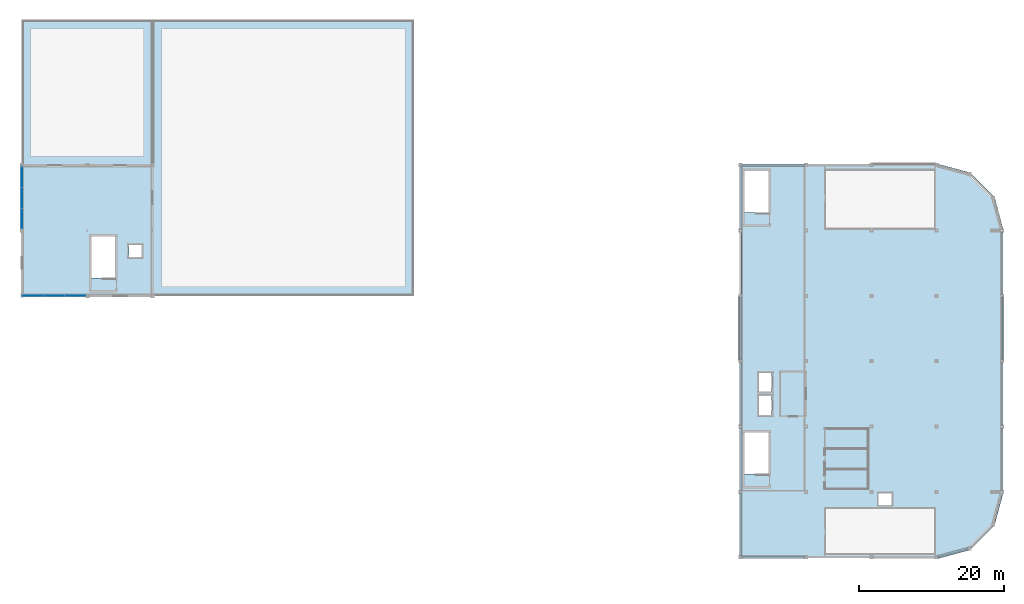
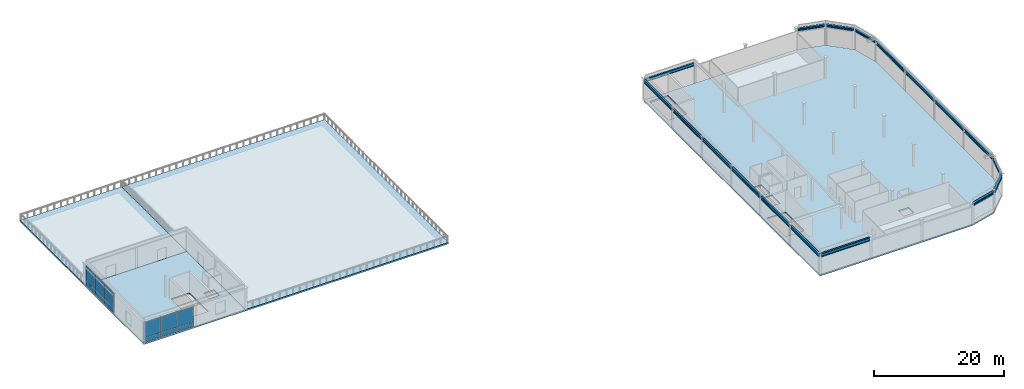
# One storey, part 7 of 14: 18 beams, 12 plates, 4 slabs, 2 elements without a shape of their own.
"""IFC4 building model written with IfcOpenShell, lengths in metres."""

from ifc_helpers import new_model, si_unit, direction, frame, origin, origin_2d, place, context, subcontext, project, spatial, polyline, rectangle, i_section, outline, extrude, material, layer, layer_set, material_profile, profile_set, type_object, element, aggregate, save


model = new_model("IFC4")

# Units and contexts
model_context = context("Model", 3, precision=1e-05, world=origin(), true_north=direction((0.0, 1.0)))
body_context = subcontext(model_context, "Body", "Model", "MODEL_VIEW")
ifc_project = project(units=[si_unit("LENGTHUNIT", "METRE"), si_unit("AREAUNIT", "SQUARE_METRE"), si_unit("VOLUMEUNIT", "CUBIC_METRE"), si_unit("PLANEANGLEUNIT", "RADIAN"), si_unit("MASSUNIT", "GRAM", prefix="KILO")], contexts=[model_context])

# Site, building, storey
site_placement = place(None, origin())
site = spatial("IfcSite", under=ifc_project, at=site_placement, CompositionType="ELEMENT")
building_placement = place(site_placement, origin())
building = spatial("IfcBuilding", under=site, at=building_placement, Name="Suzunagisa Mobility Hub", CompositionType="ELEMENT")
storey_placement = place(building_placement, frame((0.0, 0.0, 26.10009765625)))
storey = spatial("IfcBuildingStorey", under=building, at=storey_placement, Name="L06", CompositionType="ELEMENT", Elevation=26.10009765625)

# Beams
ifc_material_1 = material(Name="Steel SN490B", Category="steel")
ifc_material_profile_1 = material_profile(ifc_material_1, i_section(OverallWidth=0.39990234375, OverallDepth=0.39990234375, WebThickness=0.012939453125, FlangeThickness=0.02099609375, FilletRadius=0.01611328125, at=origin_2d()), Name="H-400x400x13x21")
ifc_profile_set_1 = profile_set([ifc_material_profile_1], Name="Steel SN490B")
beam_type_1 = type_object("IfcBeamType", Name="Steel Beam BM-12 H-400x400x13x21", PredefinedType="SPANDREL", material=ifc_profile_set_1)
beam_1_placement = place(storey_placement, frame((171.1689453125, 44.04541015625, 3.739990234375), z_axis=(0.965926540531, 0.258816379499, 0.0), x_axis=(-0.258816379499, 0.965926540531, 0.0)))
element("IfcBeam", 1, at=beam_1_placement, inside=storey, type_object=beam_type_1, Name="L06 Sports Pavilion Corner Prow Spandrel 2289", PredefinedType="SPANDREL", context=body_context, shape_type="SweptSolid", body=[
    extrude(i_section(OverallWidth=0.39990234375, OverallDepth=0.39990234375, WebThickness=0.012939453125, FlangeThickness=0.02099609375, FilletRadius=0.01611328125, at=origin_2d()), origin(), (0.0, 0.0, 1.0), 4.30615234375),
])
beam_2_placement = place(storey_placement, frame((175.625732421875, 45.33154296875, 3.739990234375), z_axis=(0.707106781187, 0.707106781187, 0.0), x_axis=(-0.707106781187, 0.707106781187, 0.0)))
element("IfcBeam", 2, at=beam_2_placement, inside=storey, type_object=beam_type_1, Name="L06 Sports Pavilion Corner Prow Spandrel 2290", PredefinedType="SPANDREL", context=body_context, shape_type="SweptSolid", body=[
    extrude(i_section(OverallWidth=0.39990234375, OverallDepth=0.39990234375, WebThickness=0.012939453125, FlangeThickness=0.02099609375, FilletRadius=0.01611328125, at=origin_2d()), origin(), (0.0, 0.0, 1.0), 4.302978515625),
])
for number, where, z_axis, x_axis, name in (
    (3, (178.840087890625, 48.671630859375, 3.739990234375), (0.258816379499, 0.965926540531, 0.0), (-0.965926540531, 0.258816379499, 0.0), "L06 Sports Pavilion Corner Prow Spandrel 2291"),
    (4, (179.95458984375, 89.1689453125, 3.739990234375), (-0.258816379499, 0.965926540531, 0.0), (-0.965926540531, -0.258816379499, 0.0), "L06 Sports Pavilion Corner Prow Spandrel 2292"),
):
    element("IfcBeam", number, at=place(storey_placement, frame(where, z_axis=z_axis, x_axis=x_axis)), inside=storey, type_object=beam_type_1, Name=name, PredefinedType="SPANDREL", context=body_context, shape_type="SweptSolid", body=[
        extrude(i_section(OverallWidth=0.39990234375, OverallDepth=0.39990234375, WebThickness=0.012939453125, FlangeThickness=0.02099609375, FilletRadius=0.01611328125, at=origin_2d()), origin(), (0.0, 0.0, 1.0), 4.30615234375),
    ])
beam_3_placement = place(storey_placement, frame((178.66845703125, 93.625732421875, 3.739990234375), z_axis=(-0.707106781187, 0.707106781187, 0.0), x_axis=(-0.707106781187, -0.707106781187, 0.0)))
element("IfcBeam", 5, at=beam_3_placement, inside=storey, type_object=beam_type_1, Name="L06 Sports Pavilion Corner Prow Spandrel 2293", PredefinedType="SPANDREL", context=body_context, shape_type="SweptSolid", body=[
    extrude(i_section(OverallWidth=0.39990234375, OverallDepth=0.39990234375, WebThickness=0.012939453125, FlangeThickness=0.02099609375, FilletRadius=0.01611328125, at=origin_2d()), origin(), (0.0, 0.0, 1.0), 4.302978515625),
])
beam_4_placement = place(storey_placement, frame((175.328369140625, 96.840087890625, 3.739990234375), z_axis=(-0.965926540531, 0.258816379499, 0.0), x_axis=(-0.258816379499, -0.965926540531, 0.0)))
element("IfcBeam", 6, at=beam_4_placement, inside=storey, type_object=beam_type_1, Name="L06 Sports Pavilion Corner Prow Spandrel 2294", PredefinedType="SPANDREL", context=body_context, shape_type="SweptSolid", body=[
    extrude(i_section(OverallWidth=0.39990234375, OverallDepth=0.39990234375, WebThickness=0.012939453125, FlangeThickness=0.02099609375, FilletRadius=0.01611328125, at=origin_2d()), origin(), (0.0, 0.0, 1.0), 4.30615234375),
])
ifc_material_profile_2 = material_profile(ifc_material_1, i_section(OverallWidth=0.300048828125, OverallDepth=0.587890625, WebThickness=0.011962890625, FlangeThickness=0.02001953125, FilletRadius=0.012939453125, at=origin_2d()), Name="H-588x300x12x20")
ifc_profile_set_2 = profile_set([ifc_material_profile_2], Name="Steel SN490B")
beam_type_2 = type_object("IfcBeamType", Name="Steel Beam BM-16 H-588x300x12x20", PredefinedType="BEAM", material=ifc_profile_set_2)
for number, where, z_axis, x_axis, name in (
    (7, (144.1708984375, 44.0, 3.64599609375), (1.0, 0.0, 0.0), (0.0, 1.0, 0.0), "L06 Sports Pavilion Rim Girder 2295"),
    (8, (144.1708984375, 98.0, 3.64599609375), (1.0, 0.0, 0.0), (0.0, 1.0, 0.0), "L06 Sports Pavilion Rim Girder 2296"),
    (9, (144.0, 44.1708984375, 3.64599609375), (0.0, 1.0, 0.0), (-1.0, 0.0, 0.0), "L06 Sports Pavilion Rim Girder 2297"),
    (10, (144.0, 53.1708984375, 3.64599609375), (0.0, 1.0, 0.0), (-1.0, 0.0, 0.0), "L06 Sports Pavilion Rim Girder 2298"),
    (11, (144.0, 62.1708984375, 3.64599609375), (0.0, 1.0, 0.0), (-1.0, 0.0, 0.0), "L06 Sports Pavilion Rim Girder 2299"),
    (12, (144.0, 71.1708984375, 3.64599609375), (0.0, 1.0, 0.0), (-1.0, 0.0, 0.0), "L06 Sports Pavilion Rim Girder 2300"),
    (13, (144.0, 80.1708984375, 3.64599609375), (0.0, 1.0, 0.0), (-1.0, 0.0, 0.0), "L06 Sports Pavilion Rim Girder 2301"),
    (14, (144.0, 89.1708984375, 3.64599609375), (0.0, 1.0, 0.0), (-1.0, 0.0, 0.0), "L06 Sports Pavilion Rim Girder 2302"),
    (15, (180.0, 53.1708984375, 3.64599609375), (0.0, 1.0, 0.0), (-1.0, 0.0, 0.0), "L06 Sports Pavilion Rim Girder 2303"),
    (16, (180.0, 62.1708984375, 3.64599609375), (0.0, 1.0, 0.0), (-1.0, 0.0, 0.0), "L06 Sports Pavilion Rim Girder 2304"),
    (17, (180.0, 71.1708984375, 3.64599609375), (0.0, 1.0, 0.0), (-1.0, 0.0, 0.0), "L06 Sports Pavilion Rim Girder 2305"),
    (18, (180.0, 80.1708984375, 3.64599609375), (0.0, 1.0, 0.0), (-1.0, 0.0, 0.0), "L06 Sports Pavilion Rim Girder 2306"),
):
    element("IfcBeam", number, at=place(storey_placement, frame(where, z_axis=z_axis, x_axis=x_axis)), inside=storey, type_object=beam_type_2, Name=name, PredefinedType="BEAM", context=body_context, shape_type="SweptSolid", body=[
        extrude(i_section(OverallWidth=0.300048828125, OverallDepth=0.587890625, WebThickness=0.011962890625, FlangeThickness=0.02001953125, FilletRadius=0.012939453125, at=origin_2d()), origin(), (0.0, 0.0, 1.0), 8.658203125),
    ])

# Slabs
ifc_material_2 = material(Name="Concrete C35/45", Category="concrete")
ifc_layer_1 = layer(ifc_material_2, 0.260009765625)
ifc_layer_set_1 = layer_set([ifc_layer_1], Name="Concrete C35/45")
slab_type_1 = type_object("IfcSlabType", Name="Composite Slab SL-12 260mm", PredefinedType="FLOOR", material=ifc_layer_set_1)
slab_1_placement = place(storey_placement, frame((0.0, 0.0, -0.260009765625)))
element("IfcSlab", 19, at=slab_1_placement, inside=storey, type_object=slab_type_1, Name="L06 V4 Floor Slab", PredefinedType="FLOOR", context=body_context, shape_type="SweptSolid", body=[
    extrude(outline(polyline([(45.0, 80.0), (63.0, 80.0), (63.0, 98.0), (45.0, 98.0), (45.0, 80.0)]), holes=[polyline([(54.56005859375, 82.47998046875), (57.840087890625, 82.47998046875), (57.840087890625, 88.199951171875), (54.56005859375, 88.199951171875), (54.56005859375, 82.47998046875)]), polyline([(59.719970703125, 85.3701171875), (61.47998046875, 85.3701171875), (61.47998046875, 87.030029296875), (59.719970703125, 87.030029296875), (59.719970703125, 85.3701171875)])]), origin(), (0.0, 0.0, 1.0), 0.260009765625),
])
slab_2_placement = place(storey_placement, frame((0.0, 0.0, -0.260009765625)))
element("IfcSlab", 20, at=slab_2_placement, inside=storey, type_object=slab_type_1, Name="L06 V3 Floor Slab", PredefinedType="FLOOR", context=body_context, shape_type="SweptSolid", body=[
    extrude(outline(polyline([(144.0, 44.0), (171.0, 44.0), (175.5, 45.205810546875), (178.794189453125, 48.5), (180.0, 53.0), (180.0, 89.0), (178.794189453125, 93.5), (175.5, 96.794189453125), (171.0, 98.0), (144.0, 98.0), (144.0, 44.0)]), holes=[polyline([(163.0, 51.199951171875), (164.800048828125, 51.199951171875), (164.800048828125, 52.800048828125), (163.0, 52.800048828125), (163.0, 51.199951171875)]), polyline([(144.56005859375, 55.47998046875), (147.840087890625, 55.47998046875), (147.840087890625, 61.199951171875), (144.56005859375, 61.199951171875), (144.56005859375, 55.47998046875)]), polyline([(146.52001953125, 63.6201171875), (148.280029296875, 63.6201171875), (148.280029296875, 66.179931640625), (146.52001953125, 66.179931640625), (146.52001953125, 63.6201171875)]), polyline([(146.52001953125, 66.820068359375), (148.280029296875, 66.820068359375), (148.280029296875, 69.3798828125), (146.52001953125, 69.3798828125), (146.52001953125, 66.820068359375)]), polyline([(144.56005859375, 91.47998046875), (147.840087890625, 91.47998046875), (147.840087890625, 97.199951171875), (144.56005859375, 97.199951171875), (144.56005859375, 91.47998046875)])]), origin(), (0.0, 0.0, 1.0), 0.260009765625),
])
ifc_layer_2 = layer(ifc_material_2, 0.280029296875)
ifc_layer_set_2 = layer_set([ifc_layer_2], Name="Concrete C35/45")
slab_type_2 = type_object("IfcSlabType", Name="Composite Slab SL-15 280mm", PredefinedType="ROOF", material=ifc_layer_set_2)
slab_3_placement = place(storey_placement, frame((0.0, 0.0, -0.280029296875)))
element("IfcSlab", 21, at=slab_3_placement, inside=storey, type_object=slab_type_2, Name="L06 V4 Roof Terrace Slab", PredefinedType="ROOF", context=body_context, shape_type="SweptSolid", body=[
    extrude(outline(polyline([(63.0, 80.0), (99.0, 80.0), (99.0, 118.0), (63.0, 118.0), (63.0, 80.0)])), origin(), (0.0, 0.0, 1.0), 0.280029296875),
])
slab_4_placement = place(storey_placement, frame((0.0, 0.0, -0.280029296875)))
element("IfcSlab", 22, at=slab_4_placement, inside=storey, type_object=slab_type_2, Name="L06 V4 Roof Terrace Slab", PredefinedType="ROOF", context=body_context, shape_type="SweptSolid", body=[
    extrude(outline(polyline([(45.0, 98.0), (63.0, 98.0), (63.0, 118.0), (45.0, 118.0), (45.0, 98.0)])), origin(), (0.0, 0.0, 1.0), 0.280029296875),
])

# Curtain wall, plates
ifc_material_3 = material(Name="Thermally Broken Anodized Aluminum and Low-E Glazing", Category="aluminium")
curtain_wall_type = type_object("IfcCurtainWallType", Name="Unitised Curtain Wall CW-36 8750x3900", PredefinedType="USERDEFINED", material=ifc_material_3)
curtain_wall_1_placement = place(storey_placement, origin())
curtain_wall_1 = element("IfcCurtainWall", 23, at=curtain_wall_1_placement, inside=storey, type_object=curtain_wall_type, Name="L06 Unitised Curtain Wall CW-140", ObjectType="UNITISED CURTAIN WALL", PredefinedType="USERDEFINED")
ifc_material_4 = material(Name="Low-E Solar-Control Double Glazing", Category="glass")
ifc_layer_3 = layer(ifc_material_4, 0.028076171875)
ifc_layer_set_3 = layer_set([ifc_layer_3], Name="Low-E Solar-Control Double Glazing")
plate_type = type_object("IfcPlateType", Name="Low-E Double Glazed Curtain Panel GP-01 28mm", PredefinedType="CURTAIN_PANEL", material=ifc_layer_set_3)
plate_1_placement = place(storey_placement, frame((46.489501953125, 80.0, 0.06298828125), z_axis=(0.0, 0.0, 1.0), x_axis=(1.0, 0.0, 0.0)))
plate_1 = element("IfcPlate", 24, at=plate_1_placement, type_object=plate_type, Name="Curtain Wall Glazing Panel 140-P1.1", PredefinedType="CURTAIN_PANEL", context=body_context, shape_type="SweptSolid", body=[
    extrude(rectangle(XDim=2.854248046875, YDim=0.028076171875, at=origin_2d()), origin(), (0.0, 0.0, 1.0), 0.8564453125),
])
plate_2_placement = place(storey_placement, frame((46.489501953125, 80.0, 0.98046875), z_axis=(0.0, 0.0, 1.0), x_axis=(1.0, 0.0, 0.0)))
plate_2 = element("IfcPlate", 25, at=plate_2_placement, type_object=plate_type, Name="Curtain Wall Glazing Panel 140-P1.2", PredefinedType="CURTAIN_PANEL", context=body_context, shape_type="SweptSolid", body=[
    extrude(rectangle(XDim=2.854248046875, YDim=0.028076171875, at=origin_2d()), origin(), (0.0, 0.0, 1.0), 2.896484375),
])
plate_3_placement = place(storey_placement, frame((49.414794921875, 80.0, 0.06298828125), z_axis=(0.0, 0.0, 1.0), x_axis=(1.0, 0.0, 0.0)))
plate_3 = element("IfcPlate", 26, at=plate_3_placement, type_object=plate_type, Name="Curtain Wall Glazing Panel 140-P2.1", PredefinedType="CURTAIN_PANEL", context=body_context, shape_type="SweptSolid", body=[
    extrude(rectangle(XDim=2.884033203125, YDim=0.028076171875, at=origin_2d()), origin(), (0.0, 0.0, 1.0), 0.8564453125),
])
plate_4_placement = place(storey_placement, frame((49.414794921875, 80.0, 0.98046875), z_axis=(0.0, 0.0, 1.0), x_axis=(1.0, 0.0, 0.0)))
plate_4 = element("IfcPlate", 27, at=plate_4_placement, type_object=plate_type, Name="Curtain Wall Glazing Panel 140-P2.2", PredefinedType="CURTAIN_PANEL", context=body_context, shape_type="SweptSolid", body=[
    extrude(rectangle(XDim=2.884033203125, YDim=0.028076171875, at=origin_2d()), origin(), (0.0, 0.0, 1.0), 2.896484375),
])
plate_5_placement = place(storey_placement, frame((52.33984375, 80.0, 0.06298828125), z_axis=(0.0, 0.0, 1.0), x_axis=(1.0, 0.0, 0.0)))
plate_5 = element("IfcPlate", 28, at=plate_5_placement, type_object=plate_type, Name="Curtain Wall Glazing Panel 140-P3.1", PredefinedType="CURTAIN_PANEL", context=body_context, shape_type="SweptSolid", body=[
    extrude(rectangle(XDim=2.854248046875, YDim=0.028076171875, at=origin_2d()), origin(), (0.0, 0.0, 1.0), 0.8564453125),
])
plate_6_placement = place(storey_placement, frame((52.33984375, 80.0, 0.98046875), z_axis=(0.0, 0.0, 1.0), x_axis=(1.0, 0.0, 0.0)))
plate_6 = element("IfcPlate", 29, at=plate_6_placement, type_object=plate_type, Name="Curtain Wall Glazing Panel 140-P3.2", PredefinedType="CURTAIN_PANEL", context=body_context, shape_type="SweptSolid", body=[
    extrude(rectangle(XDim=2.854248046875, YDim=0.028076171875, at=origin_2d()), origin(), (0.0, 0.0, 1.0), 2.896484375),
])
aggregate(curtain_wall_1, [plate_1, plate_2, plate_3, plate_4, plate_5, plate_6])

curtain_wall_2_placement = place(storey_placement, origin())
curtain_wall_2 = element("IfcCurtainWall", 30, at=curtain_wall_2_placement, inside=storey, type_object=curtain_wall_type, Name="L06 Unitised Curtain Wall CW-141", ObjectType="UNITISED CURTAIN WALL", PredefinedType="USERDEFINED")
plate_7_placement = place(storey_placement, frame((45.0, 96.368408203125, 0.06298828125), z_axis=(0.0, 0.0, 1.0), x_axis=(0.0, -1.0, 0.0)))
plate_7 = element("IfcPlate", 31, at=plate_7_placement, type_object=plate_type, Name="Curtain Wall Glazing Panel 141-P1.1", PredefinedType="CURTAIN_PANEL", context=body_context, shape_type="SweptSolid", body=[
    extrude(rectangle(XDim=2.79736328125, YDim=0.028076171875, at=origin_2d()), origin(), (0.0, 0.0, 1.0), 0.8564453125),
])
plate_8_placement = place(storey_placement, frame((45.0, 96.368408203125, 0.98046875), z_axis=(0.0, 0.0, 1.0), x_axis=(0.0, -1.0, 0.0)))
plate_8 = element("IfcPlate", 32, at=plate_8_placement, type_object=plate_type, Name="Curtain Wall Glazing Panel 141-P1.2", PredefinedType="CURTAIN_PANEL", context=body_context, shape_type="SweptSolid", body=[
    extrude(rectangle(XDim=2.79736328125, YDim=0.028076171875, at=origin_2d()), origin(), (0.0, 0.0, 1.0), 2.896484375),
])
plate_9_placement = place(storey_placement, frame((45.0, 93.5, 0.06298828125), z_axis=(0.0, 0.0, 1.0), x_axis=(0.0, -1.0, 0.0)))
plate_9 = element("IfcPlate", 33, at=plate_9_placement, type_object=plate_type, Name="Curtain Wall Glazing Panel 141-P2.1", PredefinedType="CURTAIN_PANEL", context=body_context, shape_type="SweptSolid", body=[
    extrude(rectangle(XDim=2.827392578125, YDim=0.028076171875, at=origin_2d()), origin(), (0.0, 0.0, 1.0), 0.8564453125),
])
plate_10_placement = place(storey_placement, frame((45.0, 93.5, 0.98046875), z_axis=(0.0, 0.0, 1.0), x_axis=(0.0, -1.0, 0.0)))
plate_10 = element("IfcPlate", 34, at=plate_10_placement, type_object=plate_type, Name="Curtain Wall Glazing Panel 141-P2.2", PredefinedType="CURTAIN_PANEL", context=body_context, shape_type="SweptSolid", body=[
    extrude(rectangle(XDim=2.827392578125, YDim=0.028076171875, at=origin_2d()), origin(), (0.0, 0.0, 1.0), 2.896484375),
])
plate_11_placement = place(storey_placement, frame((45.0, 90.631591796875, 0.06298828125), z_axis=(0.0, 0.0, 1.0), x_axis=(0.0, -1.0, 0.0)))
plate_11 = element("IfcPlate", 35, at=plate_11_placement, type_object=plate_type, Name="Curtain Wall Glazing Panel 141-P3.1", PredefinedType="CURTAIN_PANEL", context=body_context, shape_type="SweptSolid", body=[
    extrude(rectangle(XDim=2.79736328125, YDim=0.028076171875, at=origin_2d()), origin(), (0.0, 0.0, 1.0), 0.8564453125),
])
plate_12_placement = place(storey_placement, frame((45.0, 90.631591796875, 0.98046875), z_axis=(0.0, 0.0, 1.0), x_axis=(0.0, -1.0, 0.0)))
plate_12 = element("IfcPlate", 36, at=plate_12_placement, type_object=plate_type, Name="Curtain Wall Glazing Panel 141-P3.2", PredefinedType="CURTAIN_PANEL", context=body_context, shape_type="SweptSolid", body=[
    extrude(rectangle(XDim=2.79736328125, YDim=0.028076171875, at=origin_2d()), origin(), (0.0, 0.0, 1.0), 2.896484375),
])
aggregate(curtain_wall_2, [plate_7, plate_8, plate_9, plate_10, plate_11, plate_12])

save(model, "model.ifc")
